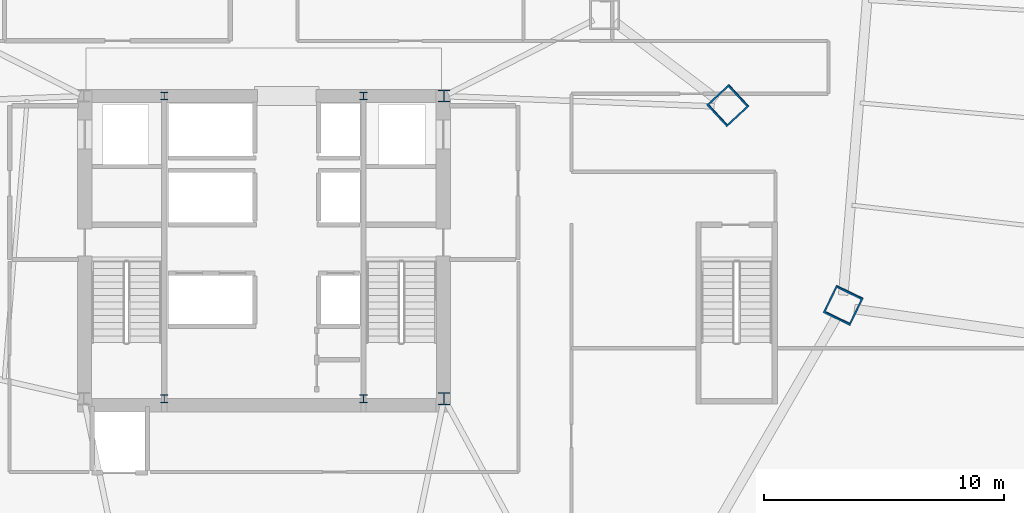
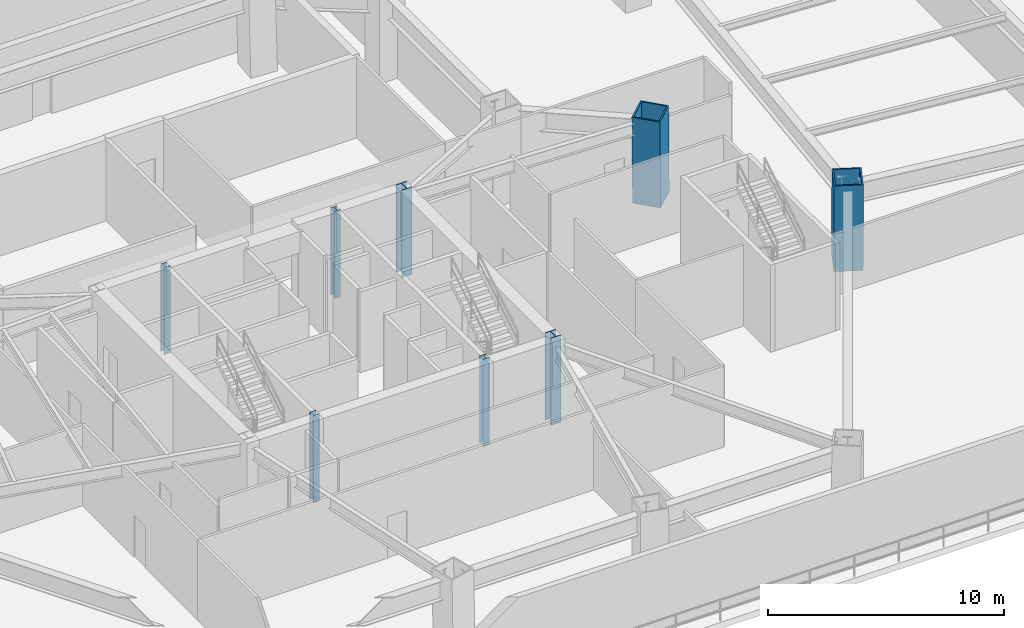
# One storey, part 2 of 13: 8 columns.
"""IFC4 building model written with IfcOpenShell, lengths in metres."""

from ifc_helpers import new_model, si_unit, direction, frame, origin, origin_2d, place, context, subcontext, project, spatial, hollow_rectangle, i_section, extrude, source, transform, mapped, material, material_profile, profile_set, type_object, type_shapes, element, save


model = new_model("IFC4")

# Units and contexts
model_context = context("Model", 3, precision=1e-05, world=origin(), true_north=direction((0.0, 1.0)))
body_context = subcontext(model_context, "Body", "Model", "MODEL_VIEW")
ifc_project = project(units=[si_unit("LENGTHUNIT", "METRE"), si_unit("AREAUNIT", "SQUARE_METRE"), si_unit("VOLUMEUNIT", "CUBIC_METRE"), si_unit("PLANEANGLEUNIT", "RADIAN"), si_unit("MASSUNIT", "GRAM", prefix="KILO")], contexts=[model_context])

# Site, building, storey
site_placement = place(None, origin())
site = spatial("IfcSite", under=ifc_project, at=site_placement, CompositionType="ELEMENT")
building_placement = place(site_placement, origin())
building = spatial("IfcBuilding", under=site, at=building_placement, Name="Caelisora Broadcast Tower", CompositionType="ELEMENT")
storey_placement = place(building_placement, frame((0.0, 0.0, 10.199951171875)))
storey = spatial("IfcBuildingStorey", under=building, at=storey_placement, Name="L02", CompositionType="ELEMENT", Elevation=10.199951171875)

# Columns
ifc_material_1 = material(Name="Steel Grade 350 (AS/NZS 3679.2)", Category="steel")
ifc_material_profile_1 = material_profile(ifc_material_1, i_section(OverallWidth=0.5, OverallDepth=0.5, WebThickness=0.028076171875, FlangeThickness=0.0400390625, at=origin_2d()), Name="Steel Grade 350 (AS/NZS 3679.2)")
ifc_profile_set_1 = profile_set([ifc_material_profile_1], Name="Steel Grade 350 (AS/NZS 3679.2)")
column_type_1 = type_object("IfcColumnType", Name="CC01", PredefinedType="COLUMN", material=ifc_profile_set_1)
shared_shape_1 = source(origin(), body_context, "Body", "SweptSolid", [
    extrude(i_section(OverallWidth=0.5, OverallDepth=0.5, WebThickness=0.028076171875, FlangeThickness=0.0400390625, at=origin_2d()), origin(), (0.0, 0.0, 1.0), 4.5),
])
type_shapes(column_type_1, [shared_shape_1])
for number, where, z_axis, x_axis, name in (
    (1, (45.5, 17.39990234375, 0.0), (0.0, 0.0, 1.0), (1.0, 0.0, 0.0), "L02 column CC01"),
    (2, (45.5, 30.0, 0.0), (0.0, 0.0, 1.0), (1.0, 0.0, 0.0), "L02 column CC01"),
):
    element("IfcColumn", number, at=place(storey_placement, frame(where, z_axis=z_axis, x_axis=x_axis)), inside=storey, type_object=column_type_1, Name=name, PredefinedType="COLUMN", context=body_context, shape_type="MappedRepresentation", body=[
        mapped(shared_shape_1, transform((0.0, 0.0, 0.0), scale=1.0)),
    ])
ifc_material_2 = material(Name="Steel Grade 350 (AS/NZS 3679.1)", Category="steel")
ifc_material_profile_2 = material_profile(ifc_material_2, i_section(OverallWidth=0.306884765625, OverallDepth=0.314697265625, WebThickness=0.011962890625, FlangeThickness=0.018798828125, at=origin_2d()), Name="Steel Grade 350 (AS/NZS 3679.1)")
ifc_profile_set_2 = profile_set([ifc_material_profile_2], Name="Steel Grade 350 (AS/NZS 3679.1)")
column_type_2 = type_object("IfcColumnType", Name="CC04", PredefinedType="COLUMN", material=ifc_profile_set_2)
shared_shape_2 = source(origin(), body_context, "Body", "SweptSolid", [
    extrude(i_section(OverallWidth=0.306884765625, OverallDepth=0.314697265625, WebThickness=0.011962890625, FlangeThickness=0.018798828125, at=origin_2d()), origin(), (0.0, 0.0, 1.0), 4.5),
])
type_shapes(column_type_2, [shared_shape_2])
for number, where, z_axis, x_axis, name in (
    (3, (33.85009765625, 17.39990234375, 0.0), (0.0, 0.0, 1.0), (1.0, 0.0, 0.0), "L02 column CC04"),
    (4, (42.14990234375, 17.39990234375, 0.0), (0.0, 0.0, 1.0), (1.0, 0.0, 0.0), "L02 column CC04"),
    (5, (33.85009765625, 30.0, 0.0), (0.0, 0.0, 1.0), (1.0, 0.0, 0.0), "L02 column CC04"),
    (6, (42.14990234375, 30.0, 0.0), (0.0, 0.0, 1.0), (1.0, 0.0, 0.0), "L02 column CC04"),
):
    element("IfcColumn", number, at=place(storey_placement, frame(where, z_axis=z_axis, x_axis=x_axis)), inside=storey, type_object=column_type_2, Name=name, PredefinedType="COLUMN", context=body_context, shape_type="MappedRepresentation", body=[
        mapped(shared_shape_2, transform((0.0, 0.0, 0.0), scale=1.0)),
    ])
ifc_material_3 = material(Name="Steel Grade 350 L15 (AS/NZS 3678)", Category="steel")
ifc_material_profile_3 = material_profile(ifc_material_3, hollow_rectangle(XDim=1.25, YDim=1.25, WallThickness=0.070068359375, at=origin_2d()), Name="Steel Grade 350 L15 (AS/NZS 3678)")
ifc_profile_set_3 = profile_set([ifc_material_profile_3], Name="Steel Grade 350 L15 (AS/NZS 3678)")
column_type_3 = type_object("IfcColumnType", Name="MC02", PredefinedType="COLUMN", material=ifc_profile_set_3)
shared_shape_3 = source(origin(), body_context, "Body", "SweptSolid", [
    extrude(hollow_rectangle(XDim=1.25, YDim=1.25, WallThickness=0.070068359375, at=origin_2d()), origin(), (0.0, 0.0, 1.0), 4.501220703125),
])
column_1_placement = place(storey_placement, frame((62.125244140625, 21.30322265625, 0.0), z_axis=(-0.010413686595, -0.021532466552, 0.999713913085), x_axis=(0.90024527341, -0.435383104521, 0.0)))
element("IfcColumn", 7, at=column_1_placement, inside=storey, type_object=column_type_3, Name="L02 column MC02", PredefinedType="COLUMN", context=body_context, shape_type="MappedRepresentation", body=[
    mapped(shared_shape_3, transform((0.0, 0.0, 0.0), scale=1.0)),
])
shared_shape_4 = source(origin(), body_context, "Body", "SweptSolid", [
    extrude(hollow_rectangle(XDim=1.25, YDim=1.25, WallThickness=0.070068359375, at=origin_2d()), origin(), (0.0, 0.0, 1.0), 4.5009765625),
])
type_shapes(column_type_3, [shared_shape_3, shared_shape_4])
column_2_placement = place(storey_placement, frame((57.32568359375, 29.615966796875, 0.0), z_axis=(-0.014862398367, -0.013777551771, 0.999794623001), x_axis=(0.679834893806, -0.733365200404, 0.0)))
element("IfcColumn", 8, at=column_2_placement, inside=storey, type_object=column_type_3, Name="L02 column MC02", PredefinedType="COLUMN", context=body_context, shape_type="MappedRepresentation", body=[
    mapped(shared_shape_4, transform((0.0, 0.0, 0.0), scale=1.0)),
])

save(model, "model.ifc")
